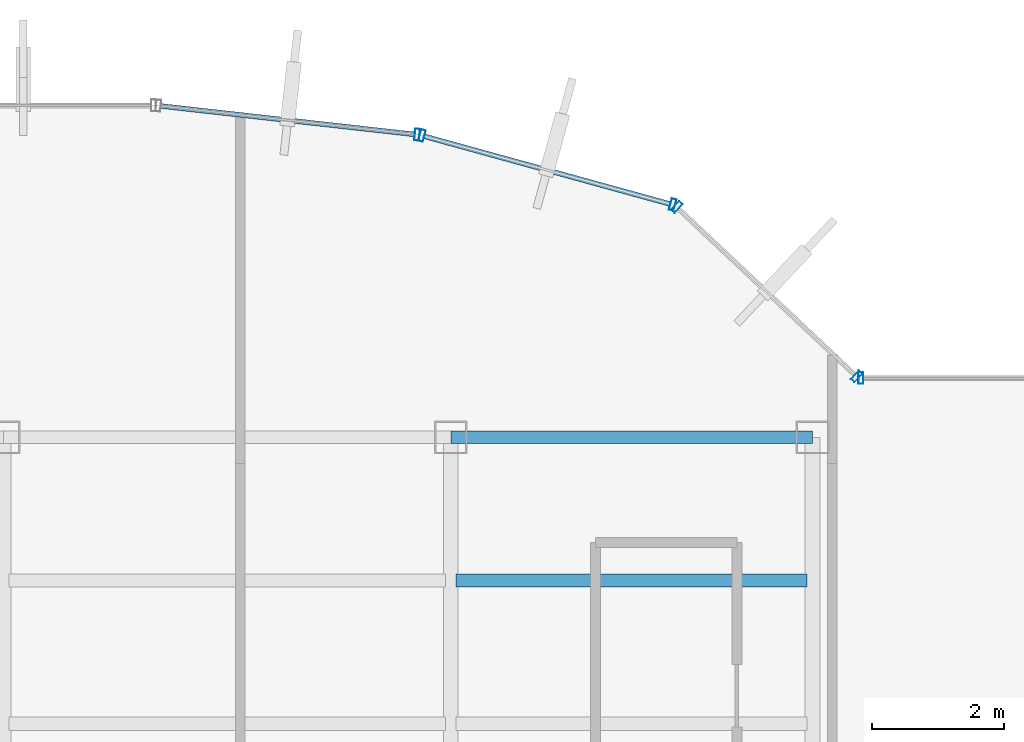
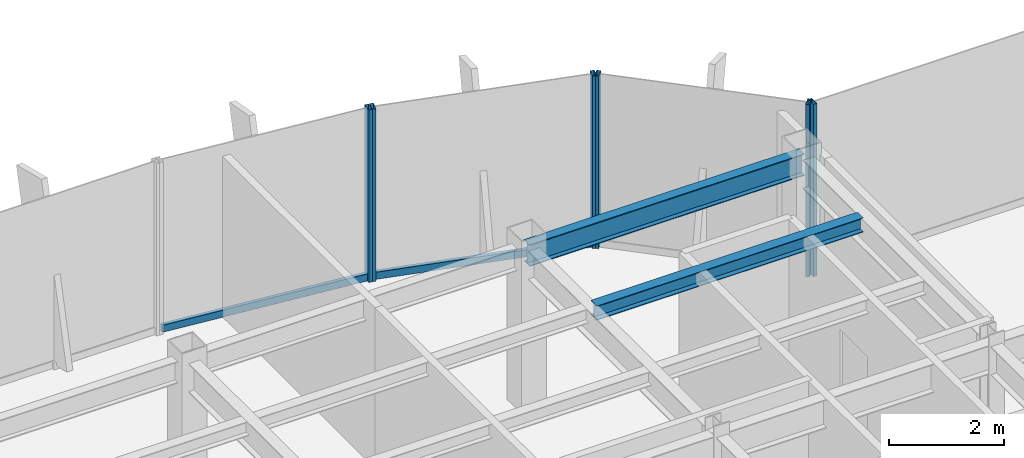
# One storey, part 14 of 22: 8 members, 2 beams, 4 elements without a shape of their own.
"""IFC4 building model written with IfcOpenShell, lengths in metres."""

from ifc_helpers import new_model, si_unit, derived_unit, direction, frame, origin, origin_2d, place, context, subcontext, project, spatial, hollow_rectangle, i_section, extrude, source, transform, mapped, material, material_profile, profile_set, type_object, element, aggregate, save


model = new_model("IFC4")

# Units and contexts
model_context = context("Model", 3, precision=1e-05, world=origin(), true_north=direction((0.0, 1.0)))
body_context = subcontext(model_context, "Body", "Model", "MODEL_VIEW")
ifc_project = project(units=[si_unit("LENGTHUNIT", "METRE"), si_unit("AREAUNIT", "SQUARE_METRE"), si_unit("VOLUMEUNIT", "CUBIC_METRE"), si_unit("PLANEANGLEUNIT", "RADIAN"), si_unit("MASSUNIT", "GRAM", prefix="KILO"), derived_unit("THERMALTRANSMITTANCEUNIT", [(si_unit("POWERUNIT", "WATT"), 1), (si_unit("LENGTHUNIT", "METRE"), -2), (si_unit("THERMODYNAMICTEMPERATUREUNIT", "KELVIN"), -1)])], contexts=[model_context])

# Site, building, storey
site_placement = place(None, origin())
site = spatial("IfcSite", under=ifc_project, at=site_placement, CompositionType="ELEMENT")
building_placement = place(site_placement, origin())
building = spatial("IfcBuilding", under=site, at=building_placement, Name="Skarnbrae Concourse Arena and Tower", CompositionType="ELEMENT")
storey_placement = place(building_placement, frame((0.0, 0.0, 284.35009765625)))
storey = spatial("IfcBuildingStorey", under=building, at=storey_placement, Name="L74", CompositionType="ELEMENT", Elevation=284.35009765625)

# Beams
ifc_material_1 = material(Name="Steel CSA G40.21 350W", Category="steel")
ifc_material_profile_1 = material_profile(ifc_material_1, i_section(OverallWidth=0.19091796875, OverallDepth=0.4599609375, WebThickness=0.010009765625, FlangeThickness=0.01611328125, at=origin_2d()), Name="W460X82")
ifc_profile_set_1 = profile_set([ifc_material_profile_1], Name="Steel CSA G40.21 350W")
beam_type_1 = type_object("IfcBeamType", Name="BM-SPAN-W460X82", PredefinedType="SPANDREL", material=ifc_profile_set_1)
shared_shape_1 = source(origin(), body_context, "Body", "SweptSolid", [
    extrude(i_section(OverallWidth=0.19091796875, OverallDepth=0.4599609375, WebThickness=0.010009765625, FlangeThickness=0.01611328125, at=origin_2d()), origin(), (0.0, 0.0, 1.0), 5.5),
])
beam_1_placement = place(storey_placement, frame((28.0, 34.39990234375, 3.169921875), z_axis=(1.0, 0.0, 0.0), x_axis=(0.0, 1.0, 0.0)))
element("IfcBeam", 1, at=beam_1_placement, inside=storey, type_object=beam_type_1, Name="L74 Perimeter spandrel Y34.4-4", PredefinedType="SPANDREL", context=body_context, shape_type="MappedRepresentation", body=[
    mapped(shared_shape_1, transform((0.0, 0.0, 0.0))),
])
ifc_material_profile_2 = material_profile(ifc_material_1, i_section(OverallWidth=0.202880859375, OverallDepth=0.302978515625, WebThickness=0.007568359375, FlangeThickness=0.01318359375, at=origin_2d()), Name="W310X60")
ifc_profile_set_2 = profile_set([ifc_material_profile_2], Name="Steel CSA G40.21 350W")
beam_type_2 = type_object("IfcBeamType", Name="BM-JOIST-W310X60", PredefinedType="JOIST", material=ifc_profile_set_2)
shared_shape_2 = source(origin(), body_context, "Body", "SweptSolid", [
    extrude(i_section(OverallWidth=0.202880859375, OverallDepth=0.302978515625, WebThickness=0.007568359375, FlangeThickness=0.01318359375, at=origin_2d()), origin(), (0.0, 0.0, 1.0), 5.33984375),
])
beam_2_placement = place(storey_placement, frame((28.080078125, 32.221923828125, 3.248291015625), z_axis=(1.0, 0.0, 0.0), x_axis=(0.0, 1.0, 0.0)))
element("IfcBeam", 2, at=beam_2_placement, inside=storey, type_object=beam_type_2, Name="L74 Secondary floor joist 3.2.4", PredefinedType="JOIST", context=body_context, shape_type="MappedRepresentation", body=[
    mapped(shared_shape_2, transform((0.0, 0.0, 0.0))),
])

# Curtain wall, member
ifc_material_2 = material(Name="Bronze anodised aluminium 6063-T6", Category="aluminium")
curtain_wall_type = type_object("IfcCurtainWallType", Name="CW-SYS-05-HIGHZONE", PredefinedType="USERDEFINED", material=ifc_material_2)
curtain_wall_1_placement = place(storey_placement, origin())
curtain_wall_1 = element("IfcCurtainWall", 3, at=curtain_wall_1_placement, inside=storey, type_object=curtain_wall_type, Name="L74 Unitised curtain wall CW-L74-E07", ObjectType="UNITISED CURTAIN WALL", PredefinedType="USERDEFINED")
ifc_material_profile_3 = material_profile(ifc_material_2, hollow_rectangle(XDim=0.074951171875, YDim=0.179931640625, WallThickness=0.00390625, at=origin_2d()), Name="ALU-MULL-75X180")
ifc_profile_set_3 = profile_set([ifc_material_profile_3], Name="Bronze anodised aluminium 6063-T6")
member_type_1 = type_object("IfcMemberType", Name="CWM-CW-05", PredefinedType="MULLION", material=ifc_profile_set_3)
shared_shape_3 = source(origin(), body_context, "Body", "SweptSolid", [
    extrude(hollow_rectangle(XDim=0.074951171875, YDim=0.179931640625, WallThickness=0.00390625, at=origin_2d()), origin(), (0.0, 0.0, 1.0), 3.64990234375),
])
member_1_placement = place(storey_placement, frame((34.237548828125, 35.300048828125, 0.0), z_axis=(0.0, 0.0, 1.0), x_axis=(-1.0, 0.0, 0.0)))
member_1 = element("IfcMember", 4, at=member_1_placement, type_object=member_type_1, Name="CW-L74-E07 Mullion 2", PredefinedType="MULLION", context=body_context, shape_type="MappedRepresentation", body=[
    mapped(shared_shape_3, transform((0.0, 0.0, 0.0))),
])
aggregate(curtain_wall_1, [member_1])

# Curtain wall, members
curtain_wall_2_placement = place(storey_placement, origin())
curtain_wall_2 = element("IfcCurtainWall", 5, at=curtain_wall_2_placement, inside=storey, type_object=curtain_wall_type, Name="L74 Unitised curtain wall CW-L74-E08", ObjectType="UNITISED CURTAIN WALL", PredefinedType="USERDEFINED")
member_2_placement = place(storey_placement, frame((34.172607421875, 35.32568359375, 0.0), z_axis=(0.0, 0.0, 1.0), x_axis=(-0.728130555214, 0.685438468838, 0.0)))
member_2 = element("IfcMember", 6, at=member_2_placement, type_object=member_type_1, Name="CW-L74-E08 Mullion 1", PredefinedType="MULLION", context=body_context, shape_type="MappedRepresentation", body=[
    mapped(shared_shape_3, transform((0.0, 0.0, 0.0))),
])
member_3_placement = place(storey_placement, frame((31.43701171875, 37.90087890625, 0.0), z_axis=(0.0, 0.0, 1.0), x_axis=(-0.728130555214, 0.685438468838, 0.0)))
member_3 = element("IfcMember", 7, at=member_3_placement, type_object=member_type_1, Name="CW-L74-E08 Mullion 2", PredefinedType="MULLION", context=body_context, shape_type="MappedRepresentation", body=[
    mapped(shared_shape_3, transform((0.0, 0.0, 0.0))),
])
aggregate(curtain_wall_2, [member_2, member_3])

curtain_wall_3_placement = place(storey_placement, origin())
curtain_wall_3 = element("IfcCurtainWall", 8, at=curtain_wall_3_placement, inside=storey, type_object=curtain_wall_type, Name="L74 Unitised curtain wall CW-L74-E09", ObjectType="UNITISED CURTAIN WALL", PredefinedType="USERDEFINED")
member_4_placement = place(storey_placement, frame((31.37353515625, 37.936767578125, 0.0), z_axis=(0.0, 0.0, 1.0), x_axis=(-0.964057388766, 0.265694093207, 0.0)))
member_4 = element("IfcMember", 9, at=member_4_placement, type_object=member_type_1, Name="CW-L74-E09 Mullion 1", PredefinedType="MULLION", context=body_context, shape_type="MappedRepresentation", body=[
    mapped(shared_shape_3, transform((0.0, 0.0, 0.0))),
])
member_5_placement = place(storey_placement, frame((27.56201171875, 38.987060546875, 0.0), z_axis=(0.0, 0.0, 1.0), x_axis=(-0.964057388766, 0.265694093207, 0.0)))
member_5 = element("IfcMember", 10, at=member_5_placement, type_object=member_type_1, Name="CW-L74-E09 Mullion 2", PredefinedType="MULLION", context=body_context, shape_type="MappedRepresentation", body=[
    mapped(shared_shape_3, transform((0.0, 0.0, 0.0))),
])

# Curtain wall, member
curtain_wall_4_placement = place(storey_placement, origin())
curtain_wall_4 = element("IfcCurtainWall", 11, at=curtain_wall_4_placement, inside=storey, type_object=curtain_wall_type, Name="L74 Unitised curtain wall CW-L74-E10", ObjectType="UNITISED CURTAIN WALL", PredefinedType="USERDEFINED")
member_6_placement = place(storey_placement, frame((27.488525390625, 39.001220703125, 0.0), z_axis=(0.0, 0.0, 1.0), x_axis=(-0.993768891873, 0.111460259941, 0.0)))
member_6 = element("IfcMember", 12, at=member_6_placement, type_object=member_type_1, Name="CW-L74-E10 Mullion 1", PredefinedType="MULLION", context=body_context, shape_type="MappedRepresentation", body=[
    mapped(shared_shape_3, transform((0.0, 0.0, 0.0))),
])

# Member
ifc_material_profile_4 = material_profile(ifc_material_2, hollow_rectangle(XDim=0.074951171875, YDim=0.14990234375, WallThickness=0.00390625, at=origin_2d()), Name="ALU-TRAN-75X150")
ifc_profile_set_4 = profile_set([ifc_material_profile_4], Name="Bronze anodised aluminium 6063-T6")
member_type_2 = type_object("IfcMemberType", Name="CWT-CW-05", PredefinedType="USERDEFINED", material=ifc_profile_set_4)
shared_shape_4 = source(origin(), body_context, "Body", "SweptSolid", [
    extrude(hollow_rectangle(XDim=0.074951171875, YDim=0.14990234375, WallThickness=0.00390625, at=origin_2d()), origin(), (0.0, 0.0, 1.0), 3.878662109375),
])
member_7_placement = place(storey_placement, frame((31.33740234375, 37.946533203125, 0.074951171875), z_axis=(-0.964042677713, 0.265747465742, 0.0), x_axis=(-0.265747465742, -0.964042677713, 0.0)))
member_7 = element("IfcMember", 13, at=member_7_placement, type_object=member_type_2, Name="CW-L74-E09 Transom 1", ObjectType="TRANSOM", PredefinedType="USERDEFINED", context=body_context, shape_type="MappedRepresentation", body=[
    mapped(shared_shape_4, transform((0.0, 0.0, 0.0))),
])

aggregate(curtain_wall_3, [member_4, member_5, member_7])

shared_shape_5 = source(origin(), body_context, "Body", "SweptSolid", [
    extrude(hollow_rectangle(XDim=0.074951171875, YDim=0.14990234375, WallThickness=0.00390625, at=origin_2d()), origin(), (0.0, 0.0, 1.0), 3.8837890625),
])
member_8_placement = place(storey_placement, frame((27.451416015625, 39.005615234375, 0.074951171875), z_axis=(-0.993776714154, 0.111390495128, 0.0), x_axis=(-0.111390495128, -0.993776714154, 0.0)))
member_8 = element("IfcMember", 14, at=member_8_placement, type_object=member_type_2, Name="CW-L74-E10 Transom 1", ObjectType="TRANSOM", PredefinedType="USERDEFINED", context=body_context, shape_type="MappedRepresentation", body=[
    mapped(shared_shape_5, transform((0.0, 0.0, 0.0))),
])

aggregate(curtain_wall_4, [member_6, member_8])

save(model, "model.ifc")
